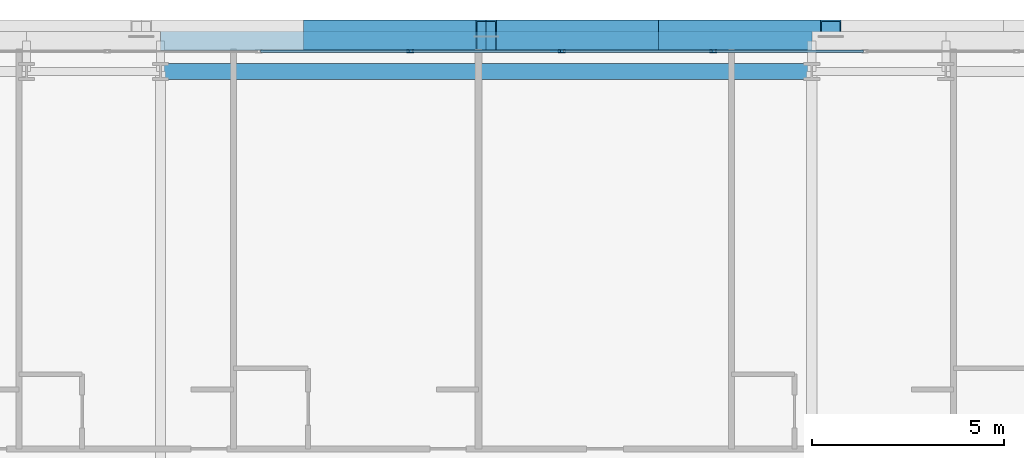
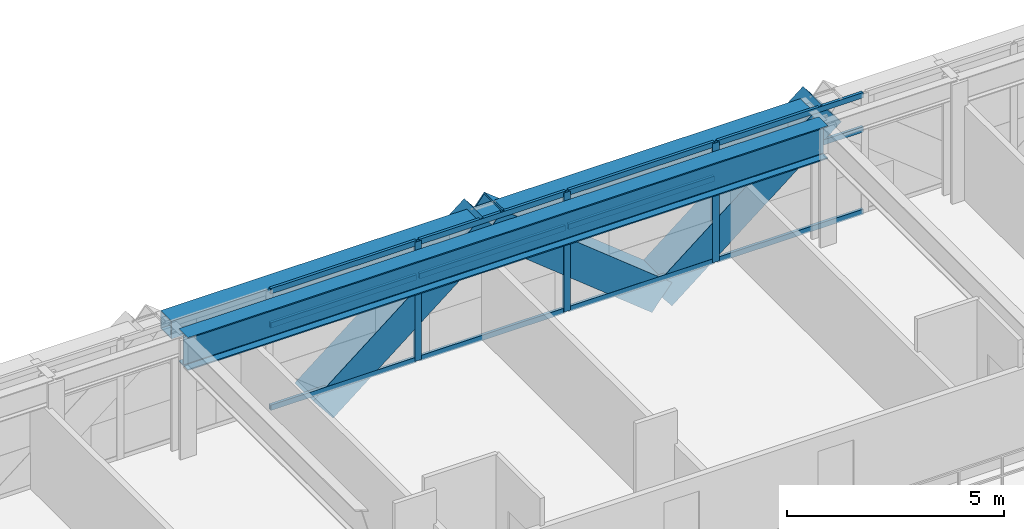
# One storey, part 22 of 41: 18 members, 2 beams, 1 element without a shape of its own.
"""IFC4 building model written with IfcOpenShell, lengths in metres."""

from ifc_helpers import new_model, si_unit, direction, frame, origin, origin_2d, place, context, subcontext, project, spatial, hollow_rectangle, i_section, extrude, source, transform, mapped, material, layer, layer_set, material_profile, profile_set, type_object, element, aggregate, save


model = new_model("IFC4")

# Units and contexts
model_context = context("Model", 3, precision=1e-05, world=origin(), true_north=direction((0.0, 1.0)))
body_context = subcontext(model_context, "Body", "Model", "MODEL_VIEW")
ifc_project = project(units=[si_unit("LENGTHUNIT", "METRE"), si_unit("AREAUNIT", "SQUARE_METRE"), si_unit("VOLUMEUNIT", "CUBIC_METRE"), si_unit("PLANEANGLEUNIT", "RADIAN"), si_unit("MASSUNIT", "GRAM", prefix="KILO")], contexts=[model_context])

# Site, building, storey
site_placement = place(None, origin())
site = spatial("IfcSite", under=ifc_project, at=site_placement, CompositionType="ELEMENT")
building_placement = place(site_placement, origin())
building = spatial("IfcBuilding", under=site, at=building_placement, Name="Ocotamira Hotel", CompositionType="ELEMENT")
storey_placement = place(building_placement, frame((0.0, 0.0, 52.800048828125)))
storey = spatial("IfcBuildingStorey", under=building, at=storey_placement, Name="L12", CompositionType="ELEMENT", Elevation=52.800048828125)

# Beams
ifc_material_1 = material(Name="Steel ASTM A992 Grade 50", Category="steel")
ifc_material_profile_1 = material_profile(ifc_material_1, i_section(OverallWidth=0.41796875, OverallDepth=0.927001953125, WebThickness=0.019287109375, FlangeThickness=0.031982421875, FilletRadius=0.02392578125, at=origin_2d()), Name="W36X231")
ifc_profile_set_1 = profile_set([ifc_material_profile_1], Name="Steel ASTM A992 Grade 50")
beam_type_1 = type_object("IfcBeamType", Name="BM-GIRD-W36X231", PredefinedType="BEAM", material=ifc_profile_set_1)
shared_shape_1 = source(origin(), body_context, "Body", "SweptSolid", [
    extrude(i_section(OverallWidth=0.41796875, OverallDepth=0.927001953125, WebThickness=0.019287109375, FlangeThickness=0.031982421875, FilletRadius=0.02392578125, at=origin_2d()), origin(), (0.0, 0.0, 1.0), 17.0),
])
beam_1_placement = place(storey_placement, frame((23.5, 49.050048828125, 2.886474609375), z_axis=(1.0, 0.0, 0.0), x_axis=(0.0, 1.0, 0.0)))
element("IfcBeam", 1, at=beam_1_placement, inside=storey, type_object=beam_type_1, Name="L12 Girder Y49.05 X23.5-40.5", PredefinedType="BEAM", context=body_context, shape_type="MappedRepresentation", body=[
    mapped(shared_shape_1, transform((0.0, 0.0, 0.0), scale=1.0)),
])
ifc_material_2 = material(Name="Steel ASTM A500 Grade C", Category="steel")
ifc_material_profile_2 = material_profile(ifc_material_2, hollow_rectangle(XDim=0.5, YDim=0.5, WallThickness=0.02001953125, at=origin_2d()), Name="HSS500X500X20")
ifc_profile_set_2 = profile_set([ifc_material_profile_2], Name="Steel ASTM A500 Grade C")
beam_type_2 = type_object("IfcBeamType", Name="BM-SPAN-HSS500", PredefinedType="USERDEFINED", material=ifc_profile_set_2)
shared_shape_2 = source(origin(), body_context, "Body", "SweptSolid", [
    extrude(hollow_rectangle(XDim=0.5, YDim=0.5, WallThickness=0.02001953125, at=origin_2d()), origin(), (0.0, 0.0, 1.0), 17.0),
])
beam_2_placement = place(storey_placement, frame((23.5, 49.85009765625, 3.099853515625), z_axis=(1.0, 0.0, 0.0), x_axis=(0.0, 1.0, 0.0)))
element("IfcBeam", 2, at=beam_2_placement, inside=storey, type_object=beam_type_2, Name="L12 Edge Spandrel N X23.5-40.5", ObjectType="SPANDREL", PredefinedType="USERDEFINED", context=body_context, shape_type="MappedRepresentation", body=[
    mapped(shared_shape_2, transform((0.0, 0.0, 0.0), scale=1.0)),
])

# Members
ifc_material_3 = material(Name="Pale-metal coated steel ASTM A913 Grade 65", Category="steel")
ifc_material_profile_3 = material_profile(ifc_material_3, hollow_rectangle(XDim=0.85009765625, YDim=0.85009765625, WallThickness=0.035888671875, at=origin_2d()), Name="BOX850X850X36")
ifc_profile_set_3 = profile_set([ifc_material_profile_3], Name="Pale-metal coated steel ASTM A913 Grade 65")
member_type_1 = type_object("IfcMemberType", Name="MEM-EXO-BOX850", PredefinedType="BRACE", material=ifc_profile_set_3)
shared_shape_3 = source(origin(), body_context, "Body", "SweptSolid", [
    extrude(hollow_rectangle(XDim=0.85009765625, YDim=0.85009765625, WallThickness=0.035888671875, at=origin_2d()), origin(), (0.0, 0.0, 1.0), 5.7626953125),
])
for number, where, z_axis, x_axis, name in (
    (3, (27.5, 49.969970703125, -0.5), (0.780881208953, 0.0, 0.624679547852), (0.0, 1.0, 0.0), "L12 Exoskeleton Diagrid N1.2"),
    (4, (36.5, 49.969970703125, -0.5), (-0.780881208953, 0.0, 0.624679547852), (0.0, -1.0, 0.0), "L12 Exoskeleton Diagrid N2.1"),
    (5, (36.5, 49.969970703125, -0.5), (0.780881208953, 0.0, 0.624679547852), (0.0, 1.0, 0.0), "L12 Exoskeleton Diagrid N2.2"),
):
    element("IfcMember", number, at=place(storey_placement, frame(where, z_axis=z_axis, x_axis=x_axis)), inside=storey, type_object=member_type_1, Name=name, PredefinedType="BRACE", context=body_context, shape_type="MappedRepresentation", body=[
        mapped(shared_shape_3, transform((0.0, 0.0, 0.0), scale=1.0)),
    ])

# Curtain wall, members
ifc_material_4 = material(Name="Anodised pale-metal aluminium and solar glass", Category="aluminium")
ifc_layer = layer(ifc_material_4, 0.179931640625)
ifc_layer_set = layer_set([ifc_layer], Name="Anodised pale-metal aluminium and solar glass")
curtain_wall_type = type_object("IfcCurtainWallType", Name="CW-SYS2-Z1", PredefinedType="NOTDEFINED", material=ifc_layer_set)
curtain_wall_placement = place(storey_placement, origin())
curtain_wall = element("IfcCurtainWall", 6, at=curtain_wall_placement, inside=storey, type_object=curtain_wall_type, Name="L12 Curtain Wall CW-2 CW-L12-N", PredefinedType="NOTDEFINED")
ifc_material_5 = material(Name="Anodised pale-metal aluminium 6063-T6", Category="aluminium")
ifc_material_profile_4 = material_profile(ifc_material_5, hollow_rectangle(XDim=0.080078125, YDim=0.179931640625, WallThickness=0.006103515625, at=origin_2d()), Name="HSS180X80X6")
ifc_profile_set_4 = profile_set([ifc_material_profile_4], Name="Anodised pale-metal aluminium 6063-T6")
member_type_2 = type_object("IfcMemberType", Name="CWM-180X75", PredefinedType="MULLION", material=ifc_profile_set_4)
shared_shape_4 = source(origin(), body_context, "Body", "SweptSolid", [
    extrude(hollow_rectangle(XDim=0.080078125, YDim=0.179931640625, WallThickness=0.006103515625, at=origin_2d()), origin(), (0.0, 0.0, 1.0), 3.349853515625),
])
member_1_placement = place(storey_placement, frame((30.022216796875, 49.580078125, 0.0), z_axis=(0.0, 0.0, 1.0), x_axis=(0.0, 1.0, 0.0)))
member_1 = element("IfcMember", 7, at=member_1_placement, type_object=member_type_2, Name="CW-2 mullion 5", PredefinedType="MULLION", context=body_context, shape_type="MappedRepresentation", body=[
    mapped(shared_shape_4, transform((0.0, 0.0, 0.0), scale=1.0)),
])
member_2_placement = place(storey_placement, frame((33.977783203125, 49.580078125, 0.0), z_axis=(0.0, 0.0, 1.0), x_axis=(0.0, 1.0, 0.0)))
member_2 = element("IfcMember", 8, at=member_2_placement, type_object=member_type_2, Name="CW-2 mullion 6", PredefinedType="MULLION", context=body_context, shape_type="MappedRepresentation", body=[
    mapped(shared_shape_4, transform((0.0, 0.0, 0.0), scale=1.0)),
])
member_3_placement = place(storey_placement, frame((37.933349609375, 49.580078125, 0.0), z_axis=(0.0, 0.0, 1.0), x_axis=(0.0, 1.0, 0.0)))
member_3 = element("IfcMember", 9, at=member_3_placement, type_object=member_type_2, Name="CW-2 mullion 7", PredefinedType="MULLION", context=body_context, shape_type="MappedRepresentation", body=[
    mapped(shared_shape_4, transform((0.0, 0.0, 0.0), scale=1.0)),
])
ifc_material_profile_5 = material_profile(ifc_material_5, hollow_rectangle(XDim=0.074951171875, YDim=0.14990234375, WallThickness=0.006103515625, at=origin_2d()), Name="HSS150X75X6")
ifc_profile_set_5 = profile_set([ifc_material_profile_5], Name="Anodised pale-metal aluminium 6063-T6")
member_type_3 = type_object("IfcMemberType", Name="CWT-150X75", PredefinedType="USERDEFINED", material=ifc_profile_set_5)
shared_shape_5 = source(origin(), body_context, "Body", "SweptSolid", [
    extrude(hollow_rectangle(XDim=0.074951171875, YDim=0.14990234375, WallThickness=0.006103515625, at=origin_2d()), origin(), (0.0, 0.0, 1.0), 3.87548828125),
])
member_4_placement = place(storey_placement, frame((26.106689453125, 49.580078125, 0.037353515625), z_axis=(1.0, 0.0, 0.0), x_axis=(0.0, 1.0, 0.0)))
member_4 = element("IfcMember", 10, at=member_4_placement, type_object=member_type_3, Name="CW-2 transom 4.1", ObjectType="TRANSOM", PredefinedType="USERDEFINED", context=body_context, shape_type="MappedRepresentation", body=[
    mapped(shared_shape_5, transform((0.0, 0.0, 0.0), scale=1.0)),
])
member_5_placement = place(storey_placement, frame((26.106689453125, 49.580078125, 2.349853515625), z_axis=(1.0, 0.0, 0.0), x_axis=(0.0, 1.0, 0.0)))
member_5 = element("IfcMember", 11, at=member_5_placement, type_object=member_type_3, Name="CW-2 transom 4.2", ObjectType="TRANSOM", PredefinedType="USERDEFINED", context=body_context, shape_type="MappedRepresentation", body=[
    mapped(shared_shape_5, transform((0.0, 0.0, 0.0), scale=1.0)),
])
member_6_placement = place(storey_placement, frame((26.106689453125, 49.580078125, 3.3125), z_axis=(1.0, 0.0, 0.0), x_axis=(0.0, 1.0, 0.0)))
member_6 = element("IfcMember", 12, at=member_6_placement, type_object=member_type_3, Name="CW-2 transom 4.3", ObjectType="TRANSOM", PredefinedType="USERDEFINED", context=body_context, shape_type="MappedRepresentation", body=[
    mapped(shared_shape_5, transform((0.0, 0.0, 0.0), scale=1.0)),
])
member_7_placement = place(storey_placement, frame((30.062255859375, 49.580078125, 0.037353515625), z_axis=(1.0, 0.0, 0.0), x_axis=(0.0, 1.0, 0.0)))
member_7 = element("IfcMember", 13, at=member_7_placement, type_object=member_type_3, Name="CW-2 transom 5.1", ObjectType="TRANSOM", PredefinedType="USERDEFINED", context=body_context, shape_type="MappedRepresentation", body=[
    mapped(shared_shape_5, transform((0.0, 0.0, 0.0), scale=1.0)),
])
member_8_placement = place(storey_placement, frame((30.062255859375, 49.580078125, 2.349853515625), z_axis=(1.0, 0.0, 0.0), x_axis=(0.0, 1.0, 0.0)))
member_8 = element("IfcMember", 14, at=member_8_placement, type_object=member_type_3, Name="CW-2 transom 5.2", ObjectType="TRANSOM", PredefinedType="USERDEFINED", context=body_context, shape_type="MappedRepresentation", body=[
    mapped(shared_shape_5, transform((0.0, 0.0, 0.0), scale=1.0)),
])
member_9_placement = place(storey_placement, frame((30.062255859375, 49.580078125, 3.3125), z_axis=(1.0, 0.0, 0.0), x_axis=(0.0, 1.0, 0.0)))
member_9 = element("IfcMember", 15, at=member_9_placement, type_object=member_type_3, Name="CW-2 transom 5.3", ObjectType="TRANSOM", PredefinedType="USERDEFINED", context=body_context, shape_type="MappedRepresentation", body=[
    mapped(shared_shape_5, transform((0.0, 0.0, 0.0), scale=1.0)),
])
member_10_placement = place(storey_placement, frame((34.017822265625, 49.580078125, 0.037353515625), z_axis=(1.0, 0.0, 0.0), x_axis=(0.0, 1.0, 0.0)))
member_10 = element("IfcMember", 16, at=member_10_placement, type_object=member_type_3, Name="CW-2 transom 6.1", ObjectType="TRANSOM", PredefinedType="USERDEFINED", context=body_context, shape_type="MappedRepresentation", body=[
    mapped(shared_shape_5, transform((0.0, 0.0, 0.0), scale=1.0)),
])
member_11_placement = place(storey_placement, frame((34.017822265625, 49.580078125, 2.349853515625), z_axis=(1.0, 0.0, 0.0), x_axis=(0.0, 1.0, 0.0)))
member_11 = element("IfcMember", 17, at=member_11_placement, type_object=member_type_3, Name="CW-2 transom 6.2", ObjectType="TRANSOM", PredefinedType="USERDEFINED", context=body_context, shape_type="MappedRepresentation", body=[
    mapped(shared_shape_5, transform((0.0, 0.0, 0.0), scale=1.0)),
])
member_12_placement = place(storey_placement, frame((34.017822265625, 49.580078125, 3.3125), z_axis=(1.0, 0.0, 0.0), x_axis=(0.0, 1.0, 0.0)))
member_12 = element("IfcMember", 18, at=member_12_placement, type_object=member_type_3, Name="CW-2 transom 6.3", ObjectType="TRANSOM", PredefinedType="USERDEFINED", context=body_context, shape_type="MappedRepresentation", body=[
    mapped(shared_shape_5, transform((0.0, 0.0, 0.0), scale=1.0)),
])
member_13_placement = place(storey_placement, frame((37.973388671875, 49.580078125, 0.037353515625), z_axis=(1.0, 0.0, 0.0), x_axis=(0.0, 1.0, 0.0)))
member_13 = element("IfcMember", 19, at=member_13_placement, type_object=member_type_3, Name="CW-2 transom 7.1", ObjectType="TRANSOM", PredefinedType="USERDEFINED", context=body_context, shape_type="MappedRepresentation", body=[
    mapped(shared_shape_5, transform((0.0, 0.0, 0.0), scale=1.0)),
])
member_14_placement = place(storey_placement, frame((37.973388671875, 49.580078125, 2.349853515625), z_axis=(1.0, 0.0, 0.0), x_axis=(0.0, 1.0, 0.0)))
member_14 = element("IfcMember", 20, at=member_14_placement, type_object=member_type_3, Name="CW-2 transom 7.2", ObjectType="TRANSOM", PredefinedType="USERDEFINED", context=body_context, shape_type="MappedRepresentation", body=[
    mapped(shared_shape_5, transform((0.0, 0.0, 0.0), scale=1.0)),
])
member_15_placement = place(storey_placement, frame((37.973388671875, 49.580078125, 3.3125), z_axis=(1.0, 0.0, 0.0), x_axis=(0.0, 1.0, 0.0)))
member_15 = element("IfcMember", 21, at=member_15_placement, type_object=member_type_3, Name="CW-2 transom 7.3", ObjectType="TRANSOM", PredefinedType="USERDEFINED", context=body_context, shape_type="MappedRepresentation", body=[
    mapped(shared_shape_5, transform((0.0, 0.0, 0.0), scale=1.0)),
])
aggregate(curtain_wall, [member_1, member_2, member_3, member_4, member_5, member_6, member_7, member_8, member_9, member_10, member_11, member_12, member_13, member_14, member_15])

save(model, "model.ifc")
